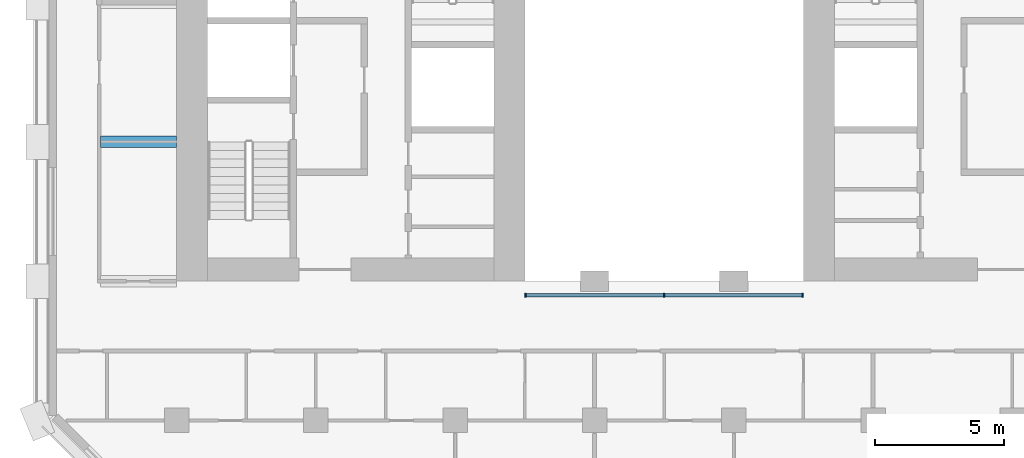
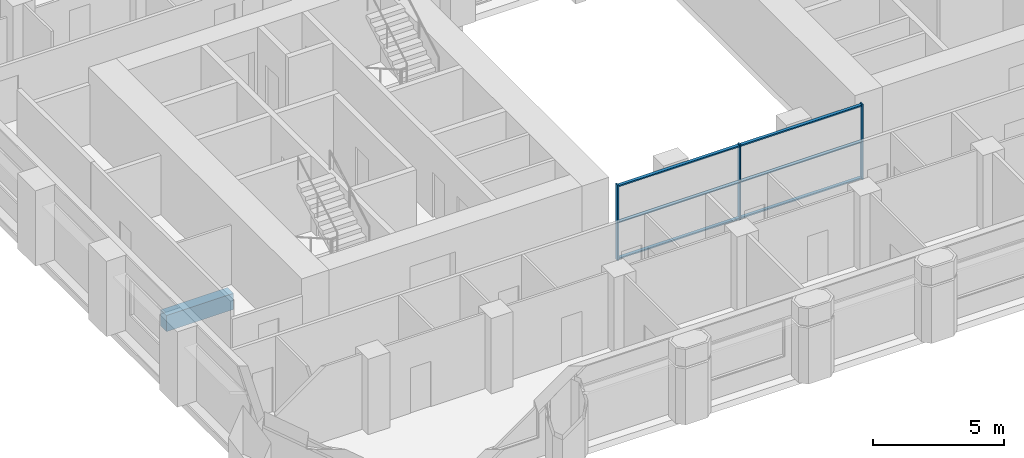
# One storey, part 2 of 13: 9 members, 1 beam, 1 element without a shape of its own.
"""IFC4 building model written with IfcOpenShell, lengths in metres."""

from ifc_helpers import new_model, si_unit, direction, frame, origin, origin_2d, place, context, subcontext, project, spatial, rectangle, extrude, material, material_profile, profile_set, type_object, element, aggregate, save


model = new_model("IFC4")

# Units and contexts
model_context = context("Model", 3, precision=1e-05, world=origin(), true_north=direction((0.0, 1.0)))
body_context = subcontext(model_context, "Body", "Model", "MODEL_VIEW")
ifc_project = project(units=[si_unit("LENGTHUNIT", "METRE"), si_unit("AREAUNIT", "SQUARE_METRE"), si_unit("VOLUMEUNIT", "CUBIC_METRE"), si_unit("PLANEANGLEUNIT", "RADIAN"), si_unit("MASSUNIT", "GRAM", prefix="KILO")], contexts=[model_context])

# Site, building, storey
site_placement = place(None, origin())
site = spatial("IfcSite", under=ifc_project, at=site_placement, CompositionType="ELEMENT")
building_placement = place(site_placement, origin())
building = spatial("IfcBuilding", under=site, at=building_placement, Name="Tabaq Tower and Sports Hall", CompositionType="ELEMENT")
storey_placement = place(building_placement, frame((0.0, 0.0, 118.199951171875)))
storey = spatial("IfcBuildingStorey", under=building, at=storey_placement, Name="L28", CompositionType="ELEMENT", Elevation=118.199951171875)

# Curtain wall, members
ifc_material_1 = material(Name="Aluminium alloy 6063-T6 framed glazing", Category="aluminium")
curtain_wall_type = type_object("IfcCurtainWallType", Name="CW1 curtain wall", PredefinedType="USERDEFINED", material=ifc_material_1)
curtain_wall_placement = place(storey_placement, origin())
curtain_wall = element("IfcCurtainWall", 1, at=curtain_wall_placement, inside=storey, type_object=curtain_wall_type, Name="Atrium glazing L28 S", ObjectType="ATRIUM ENCLOSURE", PredefinedType="USERDEFINED")
ifc_material_2 = material(Name="Aluminium alloy 6063-T6", Category="aluminium")
ifc_material_profile_1 = material_profile(ifc_material_2, rectangle(XDim=0.159912109375, YDim=0.06005859375, at=origin_2d()), Name="MULLION 160x60")
ifc_profile_set_1 = profile_set([ifc_material_profile_1], Name="Aluminium alloy 6063-T6")
member_type_1 = type_object("IfcMemberType", Name="CW1 mullion 160x60", PredefinedType="MULLION", material=ifc_profile_set_1)
member_1_placement = place(storey_placement, frame((18.929931640625, 15.64990234375, 0.0), z_axis=(0.0, 0.0, 1.0), x_axis=(0.0, 1.0, 0.0)))
member_1 = element("IfcMember", 2, at=member_1_placement, type_object=member_type_1, Name="CW1 mullion 1", PredefinedType="MULLION", context=body_context, shape_type="SweptSolid", body=[
    extrude(rectangle(XDim=0.159912109375, YDim=0.06005859375, at=origin_2d()), origin(), (0.0, 0.0, 1.0), 3.5),
])
member_2_placement = place(storey_placement, frame((24.300048828125, 15.64990234375, 0.0), z_axis=(0.0, 0.0, 1.0), x_axis=(0.0, 1.0, 0.0)))
member_2 = element("IfcMember", 3, at=member_2_placement, type_object=member_type_1, Name="CW1 mullion 2", PredefinedType="MULLION", context=body_context, shape_type="SweptSolid", body=[
    extrude(rectangle(XDim=0.159912109375, YDim=0.06005859375, at=origin_2d()), origin(), (0.0, 0.0, 1.0), 3.5),
])
member_3_placement = place(storey_placement, frame((29.669921875, 15.64990234375, 0.0), z_axis=(0.0, 0.0, 1.0), x_axis=(0.0, 1.0, 0.0)))
member_3 = element("IfcMember", 4, at=member_3_placement, type_object=member_type_1, Name="CW1 mullion 3", PredefinedType="MULLION", context=body_context, shape_type="SweptSolid", body=[
    extrude(rectangle(XDim=0.159912109375, YDim=0.06005859375, at=origin_2d()), origin(), (0.0, 0.0, 1.0), 3.5),
])
ifc_material_3 = material(Name="Aluminium alloy 6063-T6", Category="aluminium")
ifc_material_profile_2 = material_profile(ifc_material_3, rectangle(XDim=0.139892578125, YDim=0.06005859375, at=origin_2d()), Name="TRANSOM 140x60")
ifc_profile_set_2 = profile_set([ifc_material_profile_2], Name="Aluminium alloy 6063-T6")
member_type_2 = type_object("IfcMemberType", Name="CW1 transom 140x60", PredefinedType="USERDEFINED", material=ifc_profile_set_2)
member_4_placement = place(storey_placement, frame((18.9599609375, 15.64990234375, 0.070068359375), z_axis=(1.0, 0.0, 0.0), x_axis=(0.0, 1.0, 0.0)))
member_4 = element("IfcMember", 5, at=member_4_placement, type_object=member_type_2, Name="CW1 transom 1.1", ObjectType="TRANSOM", PredefinedType="USERDEFINED", context=body_context, shape_type="SweptSolid", body=[
    extrude(rectangle(XDim=0.139892578125, YDim=0.06005859375, at=origin_2d()), origin(), (0.0, 0.0, 1.0), 5.31005859375),
])
member_5_placement = place(storey_placement, frame((18.9599609375, 15.64990234375, 1.75), z_axis=(1.0, 0.0, 0.0), x_axis=(0.0, 1.0, 0.0)))
member_5 = element("IfcMember", 6, at=member_5_placement, type_object=member_type_2, Name="CW1 transom 1.2", ObjectType="TRANSOM", PredefinedType="USERDEFINED", context=body_context, shape_type="SweptSolid", body=[
    extrude(rectangle(XDim=0.139892578125, YDim=0.06005859375, at=origin_2d()), origin(), (0.0, 0.0, 1.0), 5.31005859375),
])
member_6_placement = place(storey_placement, frame((18.9599609375, 15.64990234375, 3.429931640625), z_axis=(1.0, 0.0, 0.0), x_axis=(0.0, 1.0, 0.0)))
member_6 = element("IfcMember", 7, at=member_6_placement, type_object=member_type_2, Name="CW1 transom 1.3", ObjectType="TRANSOM", PredefinedType="USERDEFINED", context=body_context, shape_type="SweptSolid", body=[
    extrude(rectangle(XDim=0.139892578125, YDim=0.06005859375, at=origin_2d()), origin(), (0.0, 0.0, 1.0), 5.31005859375),
])
member_7_placement = place(storey_placement, frame((24.330078125, 15.64990234375, 0.070068359375), z_axis=(1.0, 0.0, 0.0), x_axis=(0.0, 1.0, 0.0)))
member_7 = element("IfcMember", 8, at=member_7_placement, type_object=member_type_2, Name="CW1 transom 2.1", ObjectType="TRANSOM", PredefinedType="USERDEFINED", context=body_context, shape_type="SweptSolid", body=[
    extrude(rectangle(XDim=0.139892578125, YDim=0.06005859375, at=origin_2d()), origin(), (0.0, 0.0, 1.0), 5.309814453125),
])
member_8_placement = place(storey_placement, frame((24.330078125, 15.64990234375, 1.75), z_axis=(1.0, 0.0, 0.0), x_axis=(0.0, 1.0, 0.0)))
member_8 = element("IfcMember", 9, at=member_8_placement, type_object=member_type_2, Name="CW1 transom 2.2", ObjectType="TRANSOM", PredefinedType="USERDEFINED", context=body_context, shape_type="SweptSolid", body=[
    extrude(rectangle(XDim=0.139892578125, YDim=0.06005859375, at=origin_2d()), origin(), (0.0, 0.0, 1.0), 5.309814453125),
])
member_9_placement = place(storey_placement, frame((24.330078125, 15.64990234375, 3.429931640625), z_axis=(1.0, 0.0, 0.0), x_axis=(0.0, 1.0, 0.0)))
member_9 = element("IfcMember", 10, at=member_9_placement, type_object=member_type_2, Name="CW1 transom 2.3", ObjectType="TRANSOM", PredefinedType="USERDEFINED", context=body_context, shape_type="SweptSolid", body=[
    extrude(rectangle(XDim=0.139892578125, YDim=0.06005859375, at=origin_2d()), origin(), (0.0, 0.0, 1.0), 5.309814453125),
])
aggregate(curtain_wall, [member_1, member_2, member_3, member_4, member_5, member_6, member_7, member_8, member_9])

# Beam
ifc_material_4 = material(Name="Concrete C40/50", Category="concrete")
ifc_material_profile_3 = material_profile(ifc_material_4, rectangle(XDim=0.449951171875, YDim=0.75, at=origin_2d()), Name="CB 450x750")
ifc_profile_set_3 = profile_set([ifc_material_profile_3], Name="Concrete C40/50")
beam_type = type_object("IfcBeamType", Name="PT CANTILEVER BEAM CB 450x750 C40/50", PredefinedType="BEAM", material=ifc_profile_set_3)
beam_placement = place(storey_placement, frame((2.449951171875, 21.60009765625, -0.675048828125), z_axis=(1.0, 0.0, 0.0), x_axis=(0.0, 1.0, 0.0)))
element("IfcBeam", 11, at=beam_placement, inside=storey, type_object=beam_type, Name="Cantilever Beam L28 W4 span 1", PredefinedType="BEAM", context=body_context, shape_type="SweptSolid", body=[
    extrude(rectangle(XDim=0.449951171875, YDim=0.75, at=origin_2d()), origin(), (0.0, 0.0, 1.0), 2.949951171875),
])

save(model, "model.ifc")
